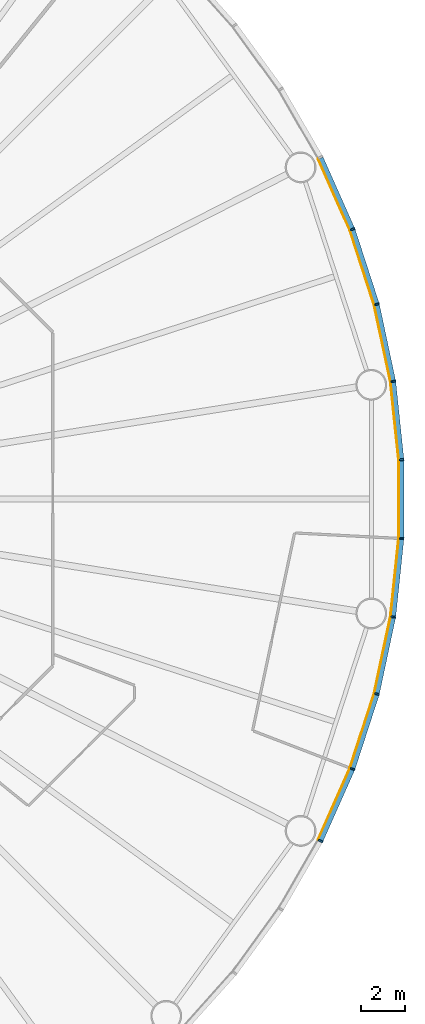
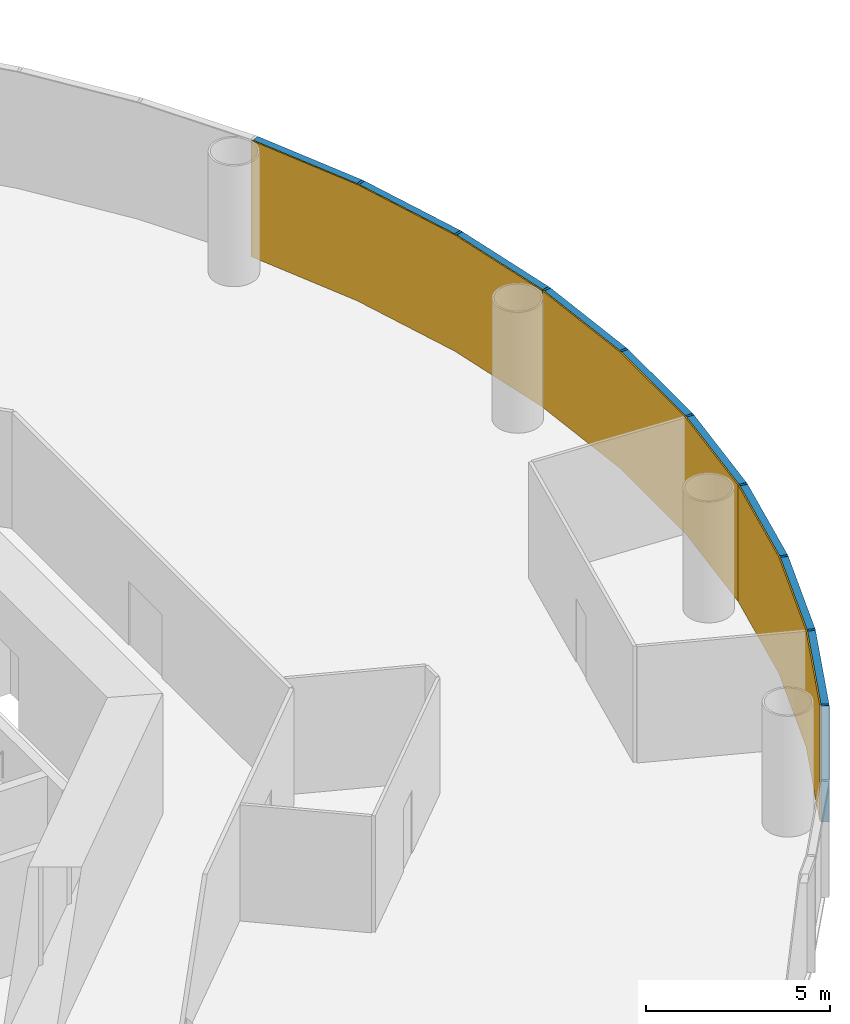
# One storey, part 11 of 13: 18 members, 3 curtain walls.
"""IFC4 building model written with IfcOpenShell, lengths in metres."""

from ifc_helpers import new_model, si_unit, direction, frame, origin, origin_2d, place, context, subcontext, project, spatial, polyline, rectangle, outline, extrude, material, layer, layer_set, material_profile, profile_set, type_object, element, aggregate, save


model = new_model("IFC4")

# Units and contexts
model_context = context("Model", 3, precision=1e-05, world=origin(), true_north=direction((0.0, 1.0)))
body_context = subcontext(model_context, "Body", "Model", "MODEL_VIEW")
ifc_project = project(units=[si_unit("LENGTHUNIT", "METRE"), si_unit("AREAUNIT", "SQUARE_METRE"), si_unit("VOLUMEUNIT", "CUBIC_METRE"), si_unit("PLANEANGLEUNIT", "RADIAN"), si_unit("MASSUNIT", "GRAM", prefix="KILO")], contexts=[model_context])

# Member
ifc_material_1 = material(Name="Anodised aluminium", Category="aluminium")
ifc_material_profile_1 = material_profile(ifc_material_1, rectangle(XDim=0.074951171875, YDim=0.219970703125, at=origin_2d()), Name="Mullion 75 x 220 mm anodised aluminium")
ifc_profile_set_1 = profile_set([ifc_material_profile_1], Name="Anodised aluminium")
member_type_1 = type_object("IfcMemberType", Name="Mullion 75 x 220 mm anodised aluminium", PredefinedType="MULLION", material=ifc_profile_set_1)
site_placement = place(None, origin())
building_placement = place(site_placement, origin())
storey_placement = place(building_placement, frame((0.0, 0.0, 42.0)))
member_1_placement = place(storey_placement, frame((123.68994140625, 85.3359375, 0.0), z_axis=(0.0, 0.0, 1.0), x_axis=(-0.15643446504, 0.987688340595, 0.0)))
member_1 = element("IfcMember", 1, at=member_1_placement, type_object=member_type_1, Name="MULLION L08-00", PredefinedType="MULLION", context=body_context, shape_type="SweptSolid", body=[
    extrude(rectangle(XDim=0.074951171875, YDim=0.219970703125, at=origin_2d()), origin(), (0.0, 0.0, 1.0), 3.85009765625),
])

member_2_placement = place(storey_placement, frame((122.94775390625, 88.828369140625, 0.0), z_axis=(0.0, 0.0, 1.0), x_axis=(-0.258819045103, 0.965925826289, 0.0)))
member_2 = element("IfcMember", 2, at=member_2_placement, type_object=member_type_1, Name="MULLION L08-01", PredefinedType="MULLION", context=body_context, shape_type="SweptSolid", body=[
    extrude(rectangle(XDim=0.074951171875, YDim=0.219970703125, at=origin_2d()), origin(), (0.0, 0.0, 1.0), 3.85009765625),
])

member_3_placement = place(storey_placement, frame((121.844482421875, 92.223876953125, 0.0), z_axis=(0.0, 0.0, 1.0), x_axis=(-0.358367949545, 0.933580426497, 0.0)))
member_3 = element("IfcMember", 3, at=member_3_placement, type_object=member_type_1, Name="MULLION L08-02", PredefinedType="MULLION", context=body_context, shape_type="SweptSolid", body=[
    extrude(rectangle(XDim=0.074951171875, YDim=0.219970703125, at=origin_2d()), origin(), (0.0, 0.0, 1.0), 3.85009765625),
])

member_4_placement = place(storey_placement, frame((120.392333984375, 64.514404296875, 0.0), z_axis=(0.0, 0.0, 1.0), x_axis=(0.45399049974, 0.891006524188, 0.0)))
member_4 = element("IfcMember", 4, at=member_4_placement, type_object=member_type_1, Name="MULLION L08-54", PredefinedType="MULLION", context=body_context, shape_type="SweptSolid", body=[
    extrude(rectangle(XDim=0.074951171875, YDim=0.219970703125, at=origin_2d()), origin(), (0.0, 0.0, 1.0), 3.85009765625),
])

member_5_placement = place(storey_placement, frame((121.844482421875, 67.776123046875, 0.0), z_axis=(0.0, 0.0, 1.0), x_axis=(0.358367949545, 0.933580426497, 0.0)))
member_5 = element("IfcMember", 5, at=member_5_placement, type_object=member_type_1, Name="MULLION L08-55", PredefinedType="MULLION", context=body_context, shape_type="SweptSolid", body=[
    extrude(rectangle(XDim=0.074951171875, YDim=0.219970703125, at=origin_2d()), origin(), (0.0, 0.0, 1.0), 3.85009765625),
])

member_6_placement = place(storey_placement, frame((122.94775390625, 71.171630859375, 0.0), z_axis=(0.0, 0.0, 1.0), x_axis=(0.258819045103, 0.965925826289, 0.0)))
member_6 = element("IfcMember", 6, at=member_6_placement, type_object=member_type_1, Name="MULLION L08-56", PredefinedType="MULLION", context=body_context, shape_type="SweptSolid", body=[
    extrude(rectangle(XDim=0.074951171875, YDim=0.219970703125, at=origin_2d()), origin(), (0.0, 0.0, 1.0), 3.85009765625),
])

member_7_placement = place(storey_placement, frame((123.68994140625, 74.6640625, 0.0), z_axis=(0.0, 0.0, 1.0), x_axis=(0.15643446504, 0.987688340595, 0.0)))
member_7 = element("IfcMember", 7, at=member_7_placement, type_object=member_type_1, Name="MULLION L08-57", PredefinedType="MULLION", context=body_context, shape_type="SweptSolid", body=[
    extrude(rectangle(XDim=0.074951171875, YDim=0.219970703125, at=origin_2d()), origin(), (0.0, 0.0, 1.0), 3.85009765625),
])

member_8_placement = place(storey_placement, frame((124.063232421875, 78.21484375, 0.0), z_axis=(0.0, 0.0, 1.0), x_axis=(0.052335956243, 0.998629534755, 0.0)))
member_8 = element("IfcMember", 8, at=member_8_placement, type_object=member_type_1, Name="MULLION L08-58", PredefinedType="MULLION", context=body_context, shape_type="SweptSolid", body=[
    extrude(rectangle(XDim=0.074951171875, YDim=0.219970703125, at=origin_2d()), origin(), (0.0, 0.0, 1.0), 3.85009765625),
])

member_9_placement = place(storey_placement, frame((124.063232421875, 81.78515625, 0.0), z_axis=(0.0, 0.0, 1.0), x_axis=(-0.052335956243, 0.998629534755, 0.0)))
member_9 = element("IfcMember", 9, at=member_9_placement, type_object=member_type_1, Name="MULLION L08-59", PredefinedType="MULLION", context=body_context, shape_type="SweptSolid", body=[
    extrude(rectangle(XDim=0.074951171875, YDim=0.219970703125, at=origin_2d()), origin(), (0.0, 0.0, 1.0), 3.85009765625),
])

ifc_material_2 = material(Name="Anodised aluminium", Category="aluminium")
ifc_material_profile_2 = material_profile(ifc_material_2, rectangle(XDim=0.219970703125, YDim=0.199951171875, at=origin_2d()), Name="Transom 200 x 220 mm anodised aluminium")
ifc_profile_set_2 = profile_set([ifc_material_profile_2], Name="Anodised aluminium")
member_type_2 = type_object("IfcMemberType", Name="Transom 200 x 220 mm anodised aluminium", PredefinedType="USERDEFINED", material=ifc_profile_set_2)
member_10_placement = place(storey_placement, frame((123.68115234375, 85.37841796875, 3.75), z_axis=(-0.207920776701, 0.978145669426, 0.0), x_axis=(-0.978145669426, -0.207920776701, 0.0)))
member_10 = element("IfcMember", 10, at=member_10_placement, type_object=member_type_2, Name="TRANSOM L08-00", ObjectType="TRANSOM", PredefinedType="USERDEFINED", context=body_context, shape_type="SweptSolid", body=[
    extrude(rectangle(XDim=0.219970703125, YDim=0.199951171875, at=origin_2d()), origin(), (0.0, 0.0, 1.0), 3.48388671875),
])

member_11_placement = place(storey_placement, frame((122.9345703125, 88.869384765625, 3.75), z_axis=(-0.309029029702, 0.951052605696, 0.0), x_axis=(-0.951052605696, -0.309029029702, 0.0)))
member_11 = element("IfcMember", 11, at=member_11_placement, type_object=member_type_2, Name="TRANSOM L08-01", ObjectType="TRANSOM", PredefinedType="USERDEFINED", context=body_context, shape_type="SweptSolid", body=[
    extrude(rectangle(XDim=0.219970703125, YDim=0.199951171875, at=origin_2d()), origin(), (0.0, 0.0, 1.0), 3.484130859375),
])

member_12_placement = place(storey_placement, frame((121.826904296875, 92.263427734375, 3.75), z_axis=(-0.406736576304, 0.913545487371, 0.0), x_axis=(-0.913545487371, -0.406736576304, 0.0)))
member_12 = element("IfcMember", 12, at=member_12_placement, type_object=member_type_2, Name="TRANSOM L08-02", ObjectType="TRANSOM", PredefinedType="USERDEFINED", context=body_context, shape_type="SweptSolid", body=[
    extrude(rectangle(XDim=0.219970703125, YDim=0.199951171875, at=origin_2d()), origin(), (0.0, 0.0, 1.0), 3.48388671875),
])

member_13_placement = place(storey_placement, frame((120.409912109375, 64.553955078125, 3.75), z_axis=(0.406736576304, 0.913545487371, 0.0), x_axis=(-0.913545487371, 0.406736576304, 0.0)))
member_13 = element("IfcMember", 13, at=member_13_placement, type_object=member_type_2, Name="TRANSOM L08-54", ObjectType="TRANSOM", PredefinedType="USERDEFINED", context=body_context, shape_type="SweptSolid", body=[
    extrude(rectangle(XDim=0.219970703125, YDim=0.199951171875, at=origin_2d()), origin(), (0.0, 0.0, 1.0), 3.48388671875),
])

member_14_placement = place(storey_placement, frame((121.85791015625, 67.817138671875, 3.75), z_axis=(0.309029029702, 0.951052605696, 0.0), x_axis=(-0.951052605696, 0.309029029702, 0.0)))
member_14 = element("IfcMember", 14, at=member_14_placement, type_object=member_type_2, Name="TRANSOM L08-55", ObjectType="TRANSOM", PredefinedType="USERDEFINED", context=body_context, shape_type="SweptSolid", body=[
    extrude(rectangle(XDim=0.219970703125, YDim=0.199951171875, at=origin_2d()), origin(), (0.0, 0.0, 1.0), 3.484130859375),
])

member_15_placement = place(storey_placement, frame((122.956787109375, 71.2138671875, 3.75), z_axis=(0.207920776701, 0.978145669426, 0.0), x_axis=(-0.978145669426, 0.207920776701, 0.0)))
member_15 = element("IfcMember", 15, at=member_15_placement, type_object=member_type_2, Name="TRANSOM L08-56", ObjectType="TRANSOM", PredefinedType="USERDEFINED", context=body_context, shape_type="SweptSolid", body=[
    extrude(rectangle(XDim=0.219970703125, YDim=0.199951171875, at=origin_2d()), origin(), (0.0, 0.0, 1.0), 3.48388671875),
])

member_16_placement = place(storey_placement, frame((123.69482421875, 74.70703125, 3.75), z_axis=(0.104484152234, 0.994526551648, 0.0), x_axis=(-0.994526551648, 0.104484152234, 0.0)))
member_16 = element("IfcMember", 16, at=member_16_placement, type_object=member_type_2, Name="TRANSOM L08-57", ObjectType="TRANSOM", PredefinedType="USERDEFINED", context=body_context, shape_type="SweptSolid", body=[
    extrude(rectangle(XDim=0.219970703125, YDim=0.199951171875, at=origin_2d()), origin(), (0.0, 0.0, 1.0), 3.48388671875),
])

member_17_placement = place(storey_placement, frame((124.0634765625, 78.258056640625, 3.75), z_axis=(0.0, 1.0, 0.0), x_axis=(-1.0, 0.0, 0.0)))
member_17 = element("IfcMember", 17, at=member_17_placement, type_object=member_type_2, Name="TRANSOM L08-58", ObjectType="TRANSOM", PredefinedType="USERDEFINED", context=body_context, shape_type="SweptSolid", body=[
    extrude(rectangle(XDim=0.219970703125, YDim=0.199951171875, at=origin_2d()), origin(), (0.0, 0.0, 1.0), 3.48388671875),
])

member_18_placement = place(storey_placement, frame((124.058837890625, 81.828125, 3.75), z_axis=(-0.104484152234, 0.994526551648, 0.0), x_axis=(-0.994526551648, -0.104484152234, 0.0)))
member_18 = element("IfcMember", 18, at=member_18_placement, type_object=member_type_2, Name="TRANSOM L08-59", ObjectType="TRANSOM", PredefinedType="USERDEFINED", context=body_context, shape_type="SweptSolid", body=[
    extrude(rectangle(XDim=0.219970703125, YDim=0.199951171875, at=origin_2d()), origin(), (0.0, 0.0, 1.0), 3.48388671875),
])

# Site, building, storey
site = spatial("IfcSite", under=ifc_project, at=site_placement, CompositionType="ELEMENT")
building = spatial("IfcBuilding", under=site, at=building_placement, Name="Entoto Ring Tower", CompositionType="ELEMENT")
storey = spatial("IfcBuildingStorey", under=building, at=storey_placement, Name="L08", CompositionType="ELEMENT", Elevation=42.0)

# Curtain wall
ifc_material_3 = material(Name="Clear low-iron glass", Category="glass")
ifc_layer = layer(ifc_material_3, 0.0400390625)
ifc_layer_set = layer_set([ifc_layer], Name="Clear low-iron glass")
curtain_wall_type = type_object("IfcCurtainWallType", Name="Curtain wall system CW1 glazing 40 mm", PredefinedType="NOTDEFINED", material=ifc_layer_set)
curtain_wall_1_placement = place(storey_placement, origin())
curtain_wall_1 = element("IfcCurtainWall", 19, at=curtain_wall_1_placement, inside=storey, type_object=curtain_wall_type, Name="CW1 L08-01", PredefinedType="NOTDEFINED", context=body_context, shape_type="SweptSolid", body=[
    extrude(outline(polyline([(123.581298828125, 85.31884765625), (122.841552734375, 88.7998046875), (121.74169921875, 92.1845703125), (120.294189453125, 95.435791015625), (120.258544921875, 95.41748046875), (121.704345703125, 92.170166015625), (122.802734375, 88.78955078125), (123.541748046875, 85.3125), (123.581298828125, 85.31884765625)])), origin(), (0.0, 0.0, 1.0), 3.85009765625),
])

aggregate(curtain_wall_1, [member_1, member_2, member_3, member_10, member_11, member_12])

curtain_wall_2_placement = place(storey_placement, origin())
curtain_wall_2 = element("IfcCurtainWall", 20, at=curtain_wall_2_placement, inside=storey, type_object=curtain_wall_type, Name="CW1 L08-19", PredefinedType="NOTDEFINED", context=body_context, shape_type="SweptSolid", body=[
    extrude(outline(polyline([(120.294189453125, 64.564208984375), (121.74169921875, 67.8154296875), (122.841552734375, 71.2001953125), (123.581298828125, 74.68115234375), (123.541748046875, 74.6875), (122.802734375, 71.21044921875), (121.704345703125, 67.829833984375), (120.258544921875, 64.58251953125), (120.294189453125, 64.564208984375)])), origin(), (0.0, 0.0, 1.0), 3.85009765625),
])

aggregate(curtain_wall_2, [member_4, member_5, member_6, member_13, member_14, member_15])

curtain_wall_3_placement = place(storey_placement, origin())
curtain_wall_3 = element("IfcCurtainWall", 21, at=curtain_wall_3_placement, inside=storey, type_object=curtain_wall_type, Name="CW1 L08-20", PredefinedType="NOTDEFINED", context=body_context, shape_type="SweptSolid", body=[
    extrude(outline(polyline([(123.581298828125, 74.68115234375), (123.953369140625, 78.220458984375), (123.953369140625, 81.779541015625), (123.581298828125, 85.31884765625), (123.541748046875, 85.3125), (123.913330078125, 81.77734375), (123.913330078125, 78.22265625), (123.541748046875, 74.6875), (123.581298828125, 74.68115234375)])), origin(), (0.0, 0.0, 1.0), 3.85009765625),
])

aggregate(curtain_wall_3, [member_7, member_8, member_9, member_16, member_17, member_18])

save(model, "model.ifc")
